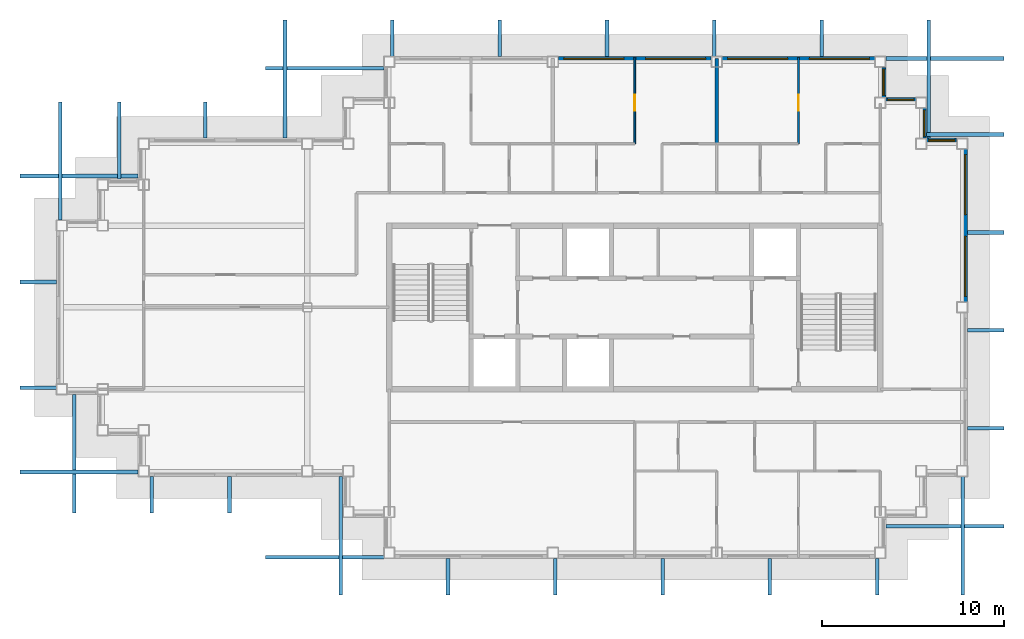
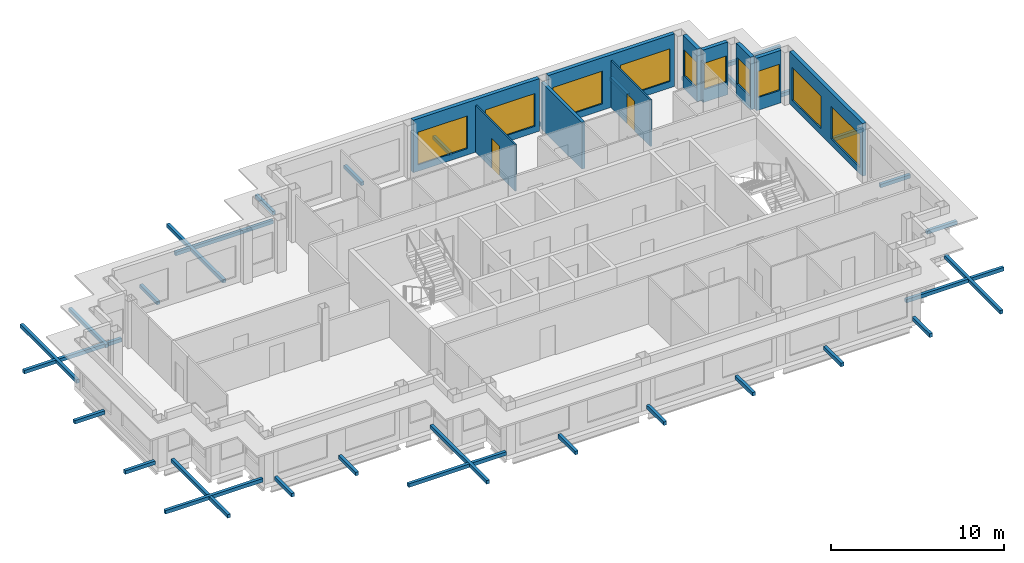
# One storey, part 6 of 11: 32 discrete accessories, 10 walls, 10 windows, 2 doors, 12 openings.
"""IFC4 building model written with IfcOpenShell, lengths in metres."""

from ifc_helpers import new_model, si_unit, direction, frame, frame_2d, origin, origin_2d, place, context, subcontext, project, spatial, rectangle, extrude, material, layer, layer_set, type_object, element, fill, save


model = new_model("IFC4")

# Units and contexts
model_context = context("Model", 3, precision=1e-05, world=origin(), true_north=direction((0.0, 1.0)))
body_context = subcontext(model_context, "Body", "Model", "MODEL_VIEW")
ifc_project = project(units=[si_unit("LENGTHUNIT", "METRE"), si_unit("AREAUNIT", "SQUARE_METRE"), si_unit("VOLUMEUNIT", "CUBIC_METRE"), si_unit("PLANEANGLEUNIT", "RADIAN"), si_unit("MASSUNIT", "GRAM", prefix="KILO")], contexts=[model_context])

# Site, building, storey
site_placement = place(None, origin())
site = spatial("IfcSite", under=ifc_project, at=site_placement, CompositionType="ELEMENT")
building_placement = place(site_placement, origin())
building = spatial("IfcBuilding", under=site, at=building_placement, Name="Caravel Reach Hotel and Residences", CompositionType="ELEMENT")
storey_placement = place(building_placement, frame((0.0, 0.0, 274.89990234375)))
storey = spatial("IfcBuildingStorey", under=building, at=storey_placement, Name="L70", CompositionType="ELEMENT", Elevation=274.89990234375)

# Wall, openings, windows
ifc_material_1 = material(Name="Insulated rainscreen wall, aluminium cladding", Category="aluminium")
ifc_layer_1 = layer(ifc_material_1, 0.25)
ifc_layer_set_1 = layer_set([ifc_layer_1], Name="EW1 Tower rainscreen wall")
wall_type_1 = type_object("IfcWallType", Name="EW1 Tower rainscreen wall", PredefinedType="SOLIDWALL", material=ifc_layer_set_1)
wall_1_placement = place(storey_placement, frame((49.675048828125, 27.300048828125, 0.0), z_axis=(0.0, 0.0, 1.0), x_axis=(0.0, 1.0, 0.0)))
wall_1 = element("IfcWall", 1, at=wall_1_placement, inside=storey, type_object=wall_type_1, Name="External wall L70 E9.2", PredefinedType="SOLIDWALL", context=body_context, shape_type="SweptSolid", body=[
    extrude(rectangle(XDim=8.39990234375, YDim=0.25, at=frame_2d((4.199951171875, 0.0))), origin(), (0.0, 0.0, 1.0), 3.7001953125),
])
opening_1_placement = place(wall_1_placement, frame((0.300048828125, 0.0, 0.449951171875)))
opening_1 = element("IfcOpeningElement", 2, at=opening_1_placement, cuts=wall_1, Name="Opening WN15", PredefinedType="OPENING", context=body_context, shape_type="SweptSolid", body=[
    extrude(rectangle(XDim=3.300048828125, YDim=2.300048828125, at=frame_2d((1.64990234375, 1.14990234375))), frame((0.0, 0.135009765625, 0.0), z_axis=(0.0, -1.0, 0.0), x_axis=(1.0, 0.0, 0.0)), (0.0, 0.0, 1.0), 0.27001953125),
])
opening_2_placement = place(wall_1_placement, frame((4.800048828125, 0.0, 0.449951171875)))
opening_2 = element("IfcOpeningElement", 3, at=opening_2_placement, cuts=wall_1, Name="Opening WN15", PredefinedType="OPENING", context=body_context, shape_type="SweptSolid", body=[
    extrude(rectangle(XDim=3.300048828125, YDim=2.300048828125, at=frame_2d((1.64990234375, 1.14990234375))), frame((0.0, 0.135009765625, 0.0), z_axis=(0.0, -1.0, 0.0), x_axis=(1.0, 0.0, 0.0)), (0.0, 0.0, 1.0), 0.27001953125),
])
ifc_material_2 = material(Name="Dark low-e glazing in black aluminium frame", Category="aluminium")
window_type_1 = type_object("IfcWindowType", Name="Residence living window 3300 x 2300", PartitioningType="SINGLE_PANEL", PredefinedType="WINDOW", material=ifc_material_2)
window_1_placement = place(opening_1_placement, origin())
window_1 = element("IfcWindow", 4, at=window_1_placement, inside=storey, type_object=window_type_1, Name="Window L70 E9.2.1", OverallHeight=2.300048828125, OverallWidth=3.300048828125, PartitioningType="SINGLE_PANEL", PredefinedType="WINDOW", context=body_context, shape_type="SweptSolid", body=[
    extrude(rectangle(XDim=3.300048828125, YDim=2.300048828125, at=frame_2d((1.64990234375, 1.14990234375))), frame((0.0, 0.030029296875, 0.0), z_axis=(0.0, -1.0, 0.0), x_axis=(1.0, 0.0, 0.0)), (0.0, 0.0, 1.0), 0.06005859375),
])
fill(opening_1, window_1)
window_2_placement = place(opening_2_placement, origin())
window_2 = element("IfcWindow", 5, at=window_2_placement, inside=storey, type_object=window_type_1, Name="Window L70 E9.2.2", OverallHeight=2.300048828125, OverallWidth=3.300048828125, PartitioningType="SINGLE_PANEL", PredefinedType="WINDOW", context=body_context, shape_type="SweptSolid", body=[
    extrude(rectangle(XDim=3.300048828125, YDim=2.300048828125, at=frame_2d((1.64990234375, 1.14990234375))), frame((0.0, 0.030029296875, 0.0), z_axis=(0.0, -1.0, 0.0), x_axis=(1.0, 0.0, 0.0)), (0.0, 0.0, 1.0), 0.06005859375),
])
fill(opening_2, window_2)

# Wall, opening, window
wall_2_placement = place(storey_placement, frame((49.199951171875, 36.175048828125, 0.0), z_axis=(0.0, 0.0, 1.0), x_axis=(-1.0, 0.0, 0.0)))
wall_2 = element("IfcWall", 6, at=wall_2_placement, inside=storey, type_object=wall_type_1, Name="External wall L70 N10.1", PredefinedType="SOLIDWALL", context=body_context, shape_type="SweptSolid", body=[
    extrude(rectangle(XDim=1.64990234375, YDim=0.25, at=frame_2d((0.824951171875, 0.0))), origin(), (0.0, 0.0, 1.0), 3.7001953125),
])
opening_3_placement = place(wall_2_placement, frame((0.10009765625, 0.0, 0.89990234375)))
opening_3 = element("IfcOpeningElement", 7, at=opening_3_placement, cuts=wall_2, Name="Opening WN25", PredefinedType="OPENING", context=body_context, shape_type="SweptSolid", body=[
    extrude(rectangle(XDim=1.449951171875, YDim=1.85009765625, at=frame_2d((0.72509765625, 0.925048828125))), frame((0.0, 0.135009765625, 0.0), z_axis=(0.0, -1.0, 0.0), x_axis=(1.0, 0.0, 0.0)), (0.0, 0.0, 1.0), 0.27001953125),
])
ifc_material_3 = material(Name="Dark low-e glazing in black aluminium frame", Category="aluminium")
window_type_2 = type_object("IfcWindowType", Name="Residence bedroom window 1450 x 1850", PartitioningType="SINGLE_PANEL", PredefinedType="WINDOW", material=ifc_material_3)
window_3_placement = place(opening_3_placement, origin())
window_3 = element("IfcWindow", 8, at=window_3_placement, inside=storey, type_object=window_type_2, Name="Window L70 N10.1.1", OverallHeight=1.85009765625, OverallWidth=1.449951171875, PartitioningType="SINGLE_PANEL", PredefinedType="WINDOW", context=body_context, shape_type="SweptSolid", body=[
    extrude(rectangle(XDim=1.449951171875, YDim=1.85009765625, at=frame_2d((0.72509765625, 0.925048828125))), frame((0.0, 0.030029296875, 0.0), z_axis=(0.0, -1.0, 0.0), x_axis=(1.0, 0.0, 0.0)), (0.0, 0.0, 1.0), 0.06005859375),
])
fill(opening_3, window_3)

wall_3_placement = place(storey_placement, frame((47.425048828125, 36.300048828125, 0.0), z_axis=(0.0, 0.0, 1.0), x_axis=(0.0, 1.0, 0.0)))
wall_3 = element("IfcWall", 9, at=wall_3_placement, inside=storey, type_object=wall_type_1, Name="External wall L70 E11.1", PredefinedType="SOLIDWALL", context=body_context, shape_type="SweptSolid", body=[
    extrude(rectangle(XDim=1.64990234375, YDim=0.25, at=frame_2d((0.824951171875, 0.0))), origin(), (0.0, 0.0, 1.0), 3.7001953125),
])
opening_4_placement = place(wall_3_placement, frame((0.10009765625, 0.0, 0.89990234375)))
opening_4 = element("IfcOpeningElement", 10, at=opening_4_placement, cuts=wall_3, Name="Opening WN25", PredefinedType="OPENING", context=body_context, shape_type="SweptSolid", body=[
    extrude(rectangle(XDim=1.449951171875, YDim=1.85009765625, at=frame_2d((0.72509765625, 0.925048828125))), frame((0.0, 0.135009765625, 0.0), z_axis=(0.0, -1.0, 0.0), x_axis=(1.0, 0.0, 0.0)), (0.0, 0.0, 1.0), 0.27001953125),
])
window_4_placement = place(opening_4_placement, origin())
window_4 = element("IfcWindow", 11, at=window_4_placement, inside=storey, type_object=window_type_2, Name="Window L70 E11.1.1", OverallHeight=1.85009765625, OverallWidth=1.449951171875, PartitioningType="SINGLE_PANEL", PredefinedType="WINDOW", context=body_context, shape_type="SweptSolid", body=[
    extrude(rectangle(XDim=1.449951171875, YDim=1.85009765625, at=frame_2d((0.72509765625, 0.925048828125))), frame((0.0, 0.030029296875, 0.0), z_axis=(0.0, -1.0, 0.0), x_axis=(1.0, 0.0, 0.0)), (0.0, 0.0, 1.0), 0.06005859375),
])
fill(opening_4, window_4)

wall_4_placement = place(storey_placement, frame((46.949951171875, 38.425048828125, 0.0), z_axis=(0.0, 0.0, 1.0), x_axis=(-1.0, 0.0, 0.0)))
wall_4 = element("IfcWall", 12, at=wall_4_placement, inside=storey, type_object=wall_type_1, Name="External wall L70 N12.1", PredefinedType="SOLIDWALL", context=body_context, shape_type="SweptSolid", body=[
    extrude(rectangle(XDim=1.64990234375, YDim=0.25, at=frame_2d((0.824951171875, 0.0))), origin(), (0.0, 0.0, 1.0), 3.7001953125),
])
opening_5_placement = place(wall_4_placement, frame((0.10009765625, 0.0, 0.89990234375)))
opening_5 = element("IfcOpeningElement", 13, at=opening_5_placement, cuts=wall_4, Name="Opening WN25", PredefinedType="OPENING", context=body_context, shape_type="SweptSolid", body=[
    extrude(rectangle(XDim=1.449951171875, YDim=1.85009765625, at=frame_2d((0.72509765625, 0.925048828125))), frame((0.0, 0.135009765625, 0.0), z_axis=(0.0, -1.0, 0.0), x_axis=(1.0, 0.0, 0.0)), (0.0, 0.0, 1.0), 0.27001953125),
])
window_5_placement = place(opening_5_placement, origin())
window_5 = element("IfcWindow", 14, at=window_5_placement, inside=storey, type_object=window_type_2, Name="Window L70 N12.1.1", OverallHeight=1.85009765625, OverallWidth=1.449951171875, PartitioningType="SINGLE_PANEL", PredefinedType="WINDOW", context=body_context, shape_type="SweptSolid", body=[
    extrude(rectangle(XDim=1.449951171875, YDim=1.85009765625, at=frame_2d((0.72509765625, 0.925048828125))), frame((0.0, 0.030029296875, 0.0), z_axis=(0.0, -1.0, 0.0), x_axis=(1.0, 0.0, 0.0)), (0.0, 0.0, 1.0), 0.06005859375),
])
fill(opening_5, window_5)

wall_5_placement = place(storey_placement, frame((45.175048828125, 38.550048828125, 0.0), z_axis=(0.0, 0.0, 1.0), x_axis=(0.0, 1.0, 0.0)))
wall_5 = element("IfcWall", 15, at=wall_5_placement, inside=storey, type_object=wall_type_1, Name="External wall L70 E13.1", PredefinedType="SOLIDWALL", context=body_context, shape_type="SweptSolid", body=[
    extrude(rectangle(XDim=1.64990234375, YDim=0.25, at=frame_2d((0.824951171875, 0.0))), origin(), (0.0, 0.0, 1.0), 3.7001953125),
])
opening_6_placement = place(wall_5_placement, frame((0.10009765625, 0.0, 0.89990234375)))
opening_6 = element("IfcOpeningElement", 16, at=opening_6_placement, cuts=wall_5, Name="Opening WN25", PredefinedType="OPENING", context=body_context, shape_type="SweptSolid", body=[
    extrude(rectangle(XDim=1.449951171875, YDim=1.85009765625, at=frame_2d((0.72509765625, 0.925048828125))), frame((0.0, 0.135009765625, 0.0), z_axis=(0.0, -1.0, 0.0), x_axis=(1.0, 0.0, 0.0)), (0.0, 0.0, 1.0), 0.27001953125),
])
window_6_placement = place(opening_6_placement, origin())
window_6 = element("IfcWindow", 17, at=window_6_placement, inside=storey, type_object=window_type_2, Name="Window L70 E13.1.1", OverallHeight=1.85009765625, OverallWidth=1.449951171875, PartitioningType="SINGLE_PANEL", PredefinedType="WINDOW", context=body_context, shape_type="SweptSolid", body=[
    extrude(rectangle(XDim=1.449951171875, YDim=1.85009765625, at=frame_2d((0.72509765625, 0.925048828125))), frame((0.0, 0.030029296875, 0.0), z_axis=(0.0, -1.0, 0.0), x_axis=(1.0, 0.0, 0.0)), (0.0, 0.0, 1.0), 0.06005859375),
])
fill(opening_6, window_6)

# Wall, openings, windows
wall_6_placement = place(storey_placement, frame((44.699951171875, 40.675048828125, 0.0), z_axis=(0.0, 0.0, 1.0), x_axis=(-1.0, 0.0, 0.0)))
wall_6 = element("IfcWall", 18, at=wall_6_placement, inside=storey, type_object=wall_type_1, Name="External wall L70 N14.1", PredefinedType="SOLIDWALL", context=body_context, shape_type="SweptSolid", body=[
    extrude(rectangle(XDim=8.39990234375, YDim=0.25, at=frame_2d((4.199951171875, 0.0))), origin(), (0.0, 0.0, 1.0), 3.7001953125),
])
opening_7_placement = place(wall_6_placement, frame((0.300048828125, 0.0, 0.449951171875)))
opening_7 = element("IfcOpeningElement", 19, at=opening_7_placement, cuts=wall_6, Name="Opening WN15", PredefinedType="OPENING", context=body_context, shape_type="SweptSolid", body=[
    extrude(rectangle(XDim=3.300048828125, YDim=2.300048828125, at=frame_2d((1.64990234375, 1.14990234375))), frame((0.0, 0.135009765625, 0.0), z_axis=(0.0, -1.0, 0.0), x_axis=(1.0, 0.0, 0.0)), (0.0, 0.0, 1.0), 0.27001953125),
])
opening_8_placement = place(wall_6_placement, frame((4.800048828125, 0.0, 0.449951171875)))
opening_8 = element("IfcOpeningElement", 20, at=opening_8_placement, cuts=wall_6, Name="Opening WN15", PredefinedType="OPENING", context=body_context, shape_type="SweptSolid", body=[
    extrude(rectangle(XDim=3.300048828125, YDim=2.300048828125, at=frame_2d((1.64990234375, 1.14990234375))), frame((0.0, 0.135009765625, 0.0), z_axis=(0.0, -1.0, 0.0), x_axis=(1.0, 0.0, 0.0)), (0.0, 0.0, 1.0), 0.27001953125),
])
window_7_placement = place(opening_7_placement, origin())
window_7 = element("IfcWindow", 21, at=window_7_placement, inside=storey, type_object=window_type_1, Name="Window L70 N14.1.1", OverallHeight=2.300048828125, OverallWidth=3.300048828125, PartitioningType="SINGLE_PANEL", PredefinedType="WINDOW", context=body_context, shape_type="SweptSolid", body=[
    extrude(rectangle(XDim=3.300048828125, YDim=2.300048828125, at=frame_2d((1.64990234375, 1.14990234375))), frame((0.0, 0.030029296875, 0.0), z_axis=(0.0, -1.0, 0.0), x_axis=(1.0, 0.0, 0.0)), (0.0, 0.0, 1.0), 0.06005859375),
])
fill(opening_7, window_7)
window_8_placement = place(opening_8_placement, origin())
window_8 = element("IfcWindow", 22, at=window_8_placement, inside=storey, type_object=window_type_1, Name="Window L70 N14.1.2", OverallHeight=2.300048828125, OverallWidth=3.300048828125, PartitioningType="SINGLE_PANEL", PredefinedType="WINDOW", context=body_context, shape_type="SweptSolid", body=[
    extrude(rectangle(XDim=3.300048828125, YDim=2.300048828125, at=frame_2d((1.64990234375, 1.14990234375))), frame((0.0, 0.030029296875, 0.0), z_axis=(0.0, -1.0, 0.0), x_axis=(1.0, 0.0, 0.0)), (0.0, 0.0, 1.0), 0.06005859375),
])
fill(opening_8, window_8)

wall_7_placement = place(storey_placement, frame((35.699951171875, 40.675048828125, 0.0), z_axis=(0.0, 0.0, 1.0), x_axis=(-1.0, 0.0, 0.0)))
wall_7 = element("IfcWall", 23, at=wall_7_placement, inside=storey, type_object=wall_type_1, Name="External wall L70 N14.2", PredefinedType="SOLIDWALL", context=body_context, shape_type="SweptSolid", body=[
    extrude(rectangle(XDim=8.39990234375, YDim=0.25, at=frame_2d((4.199951171875, 0.0))), origin(), (0.0, 0.0, 1.0), 3.7001953125),
])
opening_9_placement = place(wall_7_placement, frame((0.300048828125, 0.0, 0.449951171875)))
opening_9 = element("IfcOpeningElement", 24, at=opening_9_placement, cuts=wall_7, Name="Opening WN15", PredefinedType="OPENING", context=body_context, shape_type="SweptSolid", body=[
    extrude(rectangle(XDim=3.300048828125, YDim=2.300048828125, at=frame_2d((1.64990234375, 1.14990234375))), frame((0.0, 0.135009765625, 0.0), z_axis=(0.0, -1.0, 0.0), x_axis=(1.0, 0.0, 0.0)), (0.0, 0.0, 1.0), 0.27001953125),
])
opening_10_placement = place(wall_7_placement, frame((4.800048828125, 0.0, 0.449951171875)))
opening_10 = element("IfcOpeningElement", 25, at=opening_10_placement, cuts=wall_7, Name="Opening WN15", PredefinedType="OPENING", context=body_context, shape_type="SweptSolid", body=[
    extrude(rectangle(XDim=3.300048828125, YDim=2.300048828125, at=frame_2d((1.64990234375, 1.14990234375))), frame((0.0, 0.135009765625, 0.0), z_axis=(0.0, -1.0, 0.0), x_axis=(1.0, 0.0, 0.0)), (0.0, 0.0, 1.0), 0.27001953125),
])
window_9_placement = place(opening_9_placement, origin())
window_9 = element("IfcWindow", 26, at=window_9_placement, inside=storey, type_object=window_type_1, Name="Window L70 N14.2.1", OverallHeight=2.300048828125, OverallWidth=3.300048828125, PartitioningType="SINGLE_PANEL", PredefinedType="WINDOW", context=body_context, shape_type="SweptSolid", body=[
    extrude(rectangle(XDim=3.300048828125, YDim=2.300048828125, at=frame_2d((1.64990234375, 1.14990234375))), frame((0.0, 0.030029296875, 0.0), z_axis=(0.0, -1.0, 0.0), x_axis=(1.0, 0.0, 0.0)), (0.0, 0.0, 1.0), 0.06005859375),
])
fill(opening_9, window_9)
window_10_placement = place(opening_10_placement, origin())
window_10 = element("IfcWindow", 27, at=window_10_placement, inside=storey, type_object=window_type_1, Name="Window L70 N14.2.2", OverallHeight=2.300048828125, OverallWidth=3.300048828125, PartitioningType="SINGLE_PANEL", PredefinedType="WINDOW", context=body_context, shape_type="SweptSolid", body=[
    extrude(rectangle(XDim=3.300048828125, YDim=2.300048828125, at=frame_2d((1.64990234375, 1.14990234375))), frame((0.0, 0.030029296875, 0.0), z_axis=(0.0, -1.0, 0.0), x_axis=(1.0, 0.0, 0.0)), (0.0, 0.0, 1.0), 0.06005859375),
])
fill(opening_10, window_10)

# Wall, opening, door
ifc_material_4 = material(Name="Gypsum board on steel stud", Category="steel")
ifc_layer_2 = layer(ifc_material_4, 0.10009765625)
ifc_layer_set_2 = layer_set([ifc_layer_2], Name="Partition 100 mm")
wall_type_2 = type_object("IfcWallType", Name="Partition 100 mm", PredefinedType="PARTITIONING", material=ifc_layer_set_2)
wall_8_placement = place(storey_placement, frame((31.5, 36.0, 0.0), z_axis=(0.0, 0.0, 1.0), x_axis=(0.0, 1.0, 0.0)))
wall_8 = element("IfcWall", 28, at=wall_8_placement, inside=storey, type_object=wall_type_2, Name="L70 wall w038", PredefinedType="PARTITIONING", context=body_context, shape_type="SweptSolid", body=[
    extrude(rectangle(XDim=4.739990234375, YDim=0.10009765625, at=frame_2d((2.3701171875, 0.0))), origin(), (0.0, 0.0, 1.0), 3.300048828125),
])
opening_11_placement = place(wall_8_placement, frame((1.800048828125, 0.0, 0.0)))
opening_11 = element("IfcOpeningElement", 29, at=opening_11_placement, cuts=wall_8, Name="Opening D70-023", PredefinedType="OPENING", context=body_context, shape_type="SweptSolid", body=[
    extrude(rectangle(XDim=0.89990234375, YDim=2.10009765625, at=frame_2d((0.449951171875, 1.050048828125))), frame((0.0, 0.06005859375, 0.0), z_axis=(0.0, -1.0, 0.0), x_axis=(1.0, 0.0, 0.0)), (0.0, 0.0, 1.0), 0.1201171875),
])
ifc_material_5 = material(Name="Timber and steel door leaf", Category="steel")
door_type = type_object("IfcDoorType", Name="Door 900 x 2100 timber", OperationType="SINGLE_SWING_LEFT", PredefinedType="DOOR", material=ifc_material_5)
door_1_placement = place(opening_11_placement, origin())
door_1 = element("IfcDoor", 30, at=door_1_placement, inside=storey, type_object=door_type, Name="door D70-023", OperationType="SINGLE_SWING_LEFT", OverallHeight=2.10009765625, OverallWidth=0.89990234375, PredefinedType="DOOR", context=body_context, shape_type="SweptSolid", body=[
    extrude(rectangle(XDim=0.89990234375, YDim=2.10009765625, at=frame_2d((0.449951171875, 1.050048828125))), frame((0.0, 0.02490234375, 0.0), z_axis=(0.0, -1.0, 0.0), x_axis=(1.0, 0.0, 0.0)), (0.0, 0.0, 1.0), 0.050048828125),
])
fill(opening_11, door_1)

wall_9_placement = place(storey_placement, frame((40.5, 36.0, 0.0), z_axis=(0.0, 0.0, 1.0), x_axis=(0.0, 1.0, 0.0)))
wall_9 = element("IfcWall", 31, at=wall_9_placement, inside=storey, type_object=wall_type_2, Name="L70 wall w046", PredefinedType="PARTITIONING", context=body_context, shape_type="SweptSolid", body=[
    extrude(rectangle(XDim=4.739990234375, YDim=0.10009765625, at=frame_2d((2.3701171875, 0.0))), origin(), (0.0, 0.0, 1.0), 3.300048828125),
])
opening_12_placement = place(wall_9_placement, frame((1.800048828125, 0.0, 0.0)))
opening_12 = element("IfcOpeningElement", 32, at=opening_12_placement, cuts=wall_9, Name="Opening D70-027", PredefinedType="OPENING", context=body_context, shape_type="SweptSolid", body=[
    extrude(rectangle(XDim=0.89990234375, YDim=2.10009765625, at=frame_2d((0.449951171875, 1.050048828125))), frame((0.0, 0.06005859375, 0.0), z_axis=(0.0, -1.0, 0.0), x_axis=(1.0, 0.0, 0.0)), (0.0, 0.0, 1.0), 0.1201171875),
])
door_2_placement = place(opening_12_placement, origin())
door_2 = element("IfcDoor", 33, at=door_2_placement, inside=storey, type_object=door_type, Name="door D70-027", OperationType="SINGLE_SWING_LEFT", OverallHeight=2.10009765625, OverallWidth=0.89990234375, PredefinedType="DOOR", context=body_context, shape_type="SweptSolid", body=[
    extrude(rectangle(XDim=0.89990234375, YDim=2.10009765625, at=frame_2d((0.449951171875, 1.050048828125))), frame((0.0, 0.02490234375, 0.0), z_axis=(0.0, -1.0, 0.0), x_axis=(1.0, 0.0, 0.0)), (0.0, 0.0, 1.0), 0.050048828125),
])
fill(opening_12, door_2)

# Wall
ifc_material_6 = material(Name="Autoclaved aerated block wall")
ifc_layer_3 = layer(ifc_material_6, 0.199951171875)
ifc_layer_set_3 = layer_set([ifc_layer_3], Name="Party wall 200 mm EI 60")
wall_type_3 = type_object("IfcWallType", Name="Party wall 200 mm EI 60", PredefinedType="PARTITIONING", material=ifc_layer_set_3)
wall_10_placement = place(storey_placement, frame((36.0, 36.0, 0.0), z_axis=(0.0, 0.0, 1.0), x_axis=(0.0, 1.0, 0.0)))
element("IfcWall", 34, at=wall_10_placement, inside=storey, type_object=wall_type_3, Name="L70 wall w054", PredefinedType="PARTITIONING", context=body_context, shape_type="SweptSolid", body=[
    extrude(rectangle(XDim=4.68994140625, YDim=0.199951171875, at=frame_2d((2.344970703125, 0.0))), origin(), (0.0, 0.0, 1.0), 3.300048828125),
])

# Discrete accessories
ifc_material_7 = material(Name="Black powder-coated aluminium", Category="aluminium")
discrete_accessory_type = type_object("IfcDiscreteAccessoryType", Name="BR1 Screen bracket", PredefinedType="BRACKET", material=ifc_material_7)
discrete_accessory_1_placement = place(storey_placement, frame((0.686767578125, 18.949951171875, 0.10009765625), z_axis=(0.0, 0.0, 1.0), x_axis=(0.0, -1.0, 0.0)))
element("IfcDiscreteAccessory", 35, at=discrete_accessory_1_placement, inside=storey, type_object=discrete_accessory_type, Name="Screen bracket L70 1.1.2", PredefinedType="BRACKET", context=body_context, shape_type="SweptSolid", body=[
    extrude(rectangle(XDim=6.5, YDim=0.199951171875, at=origin_2d()), origin(), (0.0, 0.0, 1.0), 0.25),
])
for number, where, z_axis, x_axis, name in (
    (36, (4.953369140625, 16.699951171875, 0.10009765625), (0.0, 0.0, 1.0), (0.0, -1.0, 0.0), "Screen bracket L70 1.2.2"),
    (37, (9.219970703125, 16.699951171875, 0.10009765625), (0.0, 0.0, 1.0), (0.0, -1.0, 0.0), "Screen bracket L70 1.3.2"),
):
    element("IfcDiscreteAccessory", number, at=place(storey_placement, frame(where, z_axis=z_axis, x_axis=x_axis)), inside=storey, type_object=discrete_accessory_type, Name=name, PredefinedType="BRACKET", context=body_context, shape_type="SweptSolid", body=[
        extrude(rectangle(XDim=2.0, YDim=0.199951171875, at=origin_2d()), origin(), (0.0, 0.0, 1.0), 0.25),
    ])
for number, where, z_axis, x_axis, name in (
    (38, (14.449951171875, 13.260009765625, 0.10009765625), (0.0, 0.0, 1.0), (-1.0, 0.0, 0.0), "Screen bracket L70 2.1.2"),
    (39, (15.330078125, 14.449951171875, 0.10009765625), (0.0, 0.0, 1.0), (0.0, -1.0, 0.0), "Screen bracket L70 3.1.2"),
):
    element("IfcDiscreteAccessory", number, at=place(storey_placement, frame(where, z_axis=z_axis, x_axis=x_axis)), inside=storey, type_object=discrete_accessory_type, Name=name, PredefinedType="BRACKET", context=body_context, shape_type="SweptSolid", body=[
        extrude(rectangle(XDim=6.5, YDim=0.199951171875, at=origin_2d()), origin(), (0.0, 0.0, 1.0), 0.25),
    ])
for number, where, z_axis, x_axis, name in (
    (40, (21.22998046875, 12.199951171875, 0.10009765625), (0.0, 0.0, 1.0), (0.0, -1.0, 0.0), "Screen bracket L70 3.2.2"),
    (41, (27.1298828125, 12.199951171875, 0.10009765625), (0.0, 0.0, 1.0), (0.0, -1.0, 0.0), "Screen bracket L70 3.3.2"),
    (42, (33.030029296875, 12.199951171875, 0.10009765625), (0.0, 0.0, 1.0), (0.0, -1.0, 0.0), "Screen bracket L70 3.4.2"),
    (43, (38.929931640625, 12.199951171875, 0.10009765625), (0.0, 0.0, 1.0), (0.0, -1.0, 0.0), "Screen bracket L70 3.5.2"),
    (44, (44.830078125, 12.199951171875, 0.10009765625), (0.0, 0.0, 1.0), (0.0, -1.0, 0.0), "Screen bracket L70 3.6.2"),
):
    element("IfcDiscreteAccessory", number, at=place(storey_placement, frame(where, z_axis=z_axis, x_axis=x_axis)), inside=storey, type_object=discrete_accessory_type, Name=name, PredefinedType="BRACKET", context=body_context, shape_type="SweptSolid", body=[
        extrude(rectangle(XDim=2.0, YDim=0.199951171875, at=origin_2d()), origin(), (0.0, 0.0, 1.0), 0.25),
    ])
for number, where, z_axis, x_axis, name in (
    (45, (49.530029296875, 14.449951171875, 0.10009765625), (0.0, 0.0, 1.0), (0.0, -1.0, 0.0), "Screen bracket L70 3.7.2"),
    (46, (48.550048828125, 14.96826171875, 0.10009765625), (0.0, 0.0, 1.0), (1.0, 0.0, 0.0), "Screen bracket L70 4.1.2"),
):
    element("IfcDiscreteAccessory", number, at=place(storey_placement, frame(where, z_axis=z_axis, x_axis=x_axis)), inside=storey, type_object=discrete_accessory_type, Name=name, PredefinedType="BRACKET", context=body_context, shape_type="SweptSolid", body=[
        extrude(rectangle(XDim=6.5, YDim=0.199951171875, at=origin_2d()), origin(), (0.0, 0.0, 1.0), 0.25),
    ])
for number, where, z_axis, x_axis, name in (
    (47, (50.800048828125, 20.3515625, 0.10009765625), (0.0, 0.0, 1.0), (1.0, 0.0, 0.0), "Screen bracket L70 4.2.2"),
    (48, (50.800048828125, 25.735107421875, 0.10009765625), (0.0, 0.0, 1.0), (1.0, 0.0, 0.0), "Screen bracket L70 4.3.2"),
    (49, (50.800048828125, 31.118408203125, 0.10009765625), (0.0, 0.0, 1.0), (1.0, 0.0, 0.0), "Screen bracket L70 4.4.2"),
):
    element("IfcDiscreteAccessory", number, at=place(storey_placement, frame(where, z_axis=z_axis, x_axis=x_axis)), inside=storey, type_object=discrete_accessory_type, Name=name, PredefinedType="BRACKET", context=body_context, shape_type="SweptSolid", body=[
        extrude(rectangle(XDim=2.0, YDim=0.199951171875, at=origin_2d()), origin(), (0.0, 0.0, 1.0), 0.25),
    ])
discrete_accessory_2_placement = place(storey_placement, frame((49.675048828125, 36.501708984375, 0.10009765625), z_axis=(0.0, 0.0, 1.0), x_axis=(1.0, 0.0, 0.0)))
element("IfcDiscreteAccessory", 50, at=discrete_accessory_2_placement, inside=storey, type_object=discrete_accessory_type, Name="Screen bracket L70 4.5.2", PredefinedType="BRACKET", context=body_context, shape_type="SweptSolid", body=[
    extrude(rectangle(XDim=4.25, YDim=0.199951171875, at=origin_2d()), origin(), (0.0, 0.0, 1.0), 0.25),
])
for number, where, z_axis, x_axis, name in (
    (51, (48.550048828125, 40.68505859375, 0.10009765625), (0.0, 0.0, 1.0), (1.0, 0.0, 0.0), "Screen bracket L70 4.6.2"),
    (52, (47.669921875, 39.550048828125, 0.10009765625), (0.0, 0.0, 1.0), (0.0, 1.0, 0.0), "Screen bracket L70 5.1.2"),
):
    element("IfcDiscreteAccessory", number, at=place(storey_placement, frame(where, z_axis=z_axis, x_axis=x_axis)), inside=storey, type_object=discrete_accessory_type, Name=name, PredefinedType="BRACKET", context=body_context, shape_type="SweptSolid", body=[
        extrude(rectangle(XDim=6.5, YDim=0.199951171875, at=origin_2d()), origin(), (0.0, 0.0, 1.0), 0.25),
    ])
for number, where, z_axis, x_axis, name in (
    (53, (41.77001953125, 41.800048828125, 0.10009765625), (0.0, 0.0, 1.0), (0.0, 1.0, 0.0), "Screen bracket L70 5.2.2"),
    (54, (35.8701171875, 41.800048828125, 0.10009765625), (0.0, 0.0, 1.0), (0.0, 1.0, 0.0), "Screen bracket L70 5.3.2"),
    (55, (29.969970703125, 41.800048828125, 0.10009765625), (0.0, 0.0, 1.0), (0.0, 1.0, 0.0), "Screen bracket L70 5.4.2"),
    (56, (24.070068359375, 41.800048828125, 0.10009765625), (0.0, 0.0, 1.0), (0.0, 1.0, 0.0), "Screen bracket L70 5.5.2"),
    (57, (18.169921875, 41.800048828125, 0.10009765625), (0.0, 0.0, 1.0), (0.0, 1.0, 0.0), "Screen bracket L70 5.6.2"),
):
    element("IfcDiscreteAccessory", number, at=place(storey_placement, frame(where, z_axis=z_axis, x_axis=x_axis)), inside=storey, type_object=discrete_accessory_type, Name=name, PredefinedType="BRACKET", context=body_context, shape_type="SweptSolid", body=[
        extrude(rectangle(XDim=2.0, YDim=0.199951171875, at=origin_2d()), origin(), (0.0, 0.0, 1.0), 0.25),
    ])
for number, where, z_axis, x_axis, name in (
    (58, (12.27001953125, 39.550048828125, 0.10009765625), (0.0, 0.0, 1.0), (0.0, 1.0, 0.0), "Screen bracket L70 5.7.2"),
    (59, (14.449951171875, 40.139892578125, 0.10009765625), (0.0, 0.0, 1.0), (-1.0, 0.0, 0.0), "Screen bracket L70 6.1.2"),
):
    element("IfcDiscreteAccessory", number, at=place(storey_placement, frame(where, z_axis=z_axis, x_axis=x_axis)), inside=storey, type_object=discrete_accessory_type, Name=name, PredefinedType="BRACKET", context=body_context, shape_type="SweptSolid", body=[
        extrude(rectangle(XDim=6.5, YDim=0.199951171875, at=origin_2d()), origin(), (0.0, 0.0, 1.0), 0.25),
    ])
discrete_accessory_3_placement = place(storey_placement, frame((7.88671875, 37.300048828125, 0.10009765625), z_axis=(0.0, 0.0, 1.0), x_axis=(0.0, 1.0, 0.0)))
element("IfcDiscreteAccessory", 60, at=discrete_accessory_3_placement, inside=storey, type_object=discrete_accessory_type, Name="Screen bracket L70 7.1.2", PredefinedType="BRACKET", context=body_context, shape_type="SweptSolid", body=[
    extrude(rectangle(XDim=2.0, YDim=0.199951171875, at=origin_2d()), origin(), (0.0, 0.0, 1.0), 0.25),
])
discrete_accessory_4_placement = place(storey_placement, frame((3.1533203125, 36.175048828125, 0.10009765625), z_axis=(0.0, 0.0, 1.0), x_axis=(0.0, 1.0, 0.0)))
element("IfcDiscreteAccessory", 61, at=discrete_accessory_4_placement, inside=storey, type_object=discrete_accessory_type, Name="Screen bracket L70 7.2.2", PredefinedType="BRACKET", context=body_context, shape_type="SweptSolid", body=[
    extrude(rectangle(XDim=4.25, YDim=0.199951171875, at=origin_2d()), origin(), (0.0, 0.0, 1.0), 0.25),
])
for number, where, z_axis, x_axis, name in (
    (62, (-0.080078125, 35.050048828125, 0.10009765625), (0.0, 0.0, 1.0), (0.0, 1.0, 0.0), "Screen bracket L70 7.3.2"),
    (63, (0.949951171875, 34.222412109375, 0.10009765625), (0.0, 0.0, 1.0), (-1.0, 0.0, 0.0), "Screen bracket L70 8.1.2"),
):
    element("IfcDiscreteAccessory", number, at=place(storey_placement, frame(where, z_axis=z_axis, x_axis=x_axis)), inside=storey, type_object=discrete_accessory_type, Name=name, PredefinedType="BRACKET", context=body_context, shape_type="SweptSolid", body=[
        extrude(rectangle(XDim=6.5, YDim=0.199951171875, at=origin_2d()), origin(), (0.0, 0.0, 1.0), 0.25),
    ])
for number, where, z_axis, x_axis, name in (
    (64, (-1.300048828125, 28.3974609375, 0.10009765625), (0.0, 0.0, 1.0), (-1.0, 0.0, 0.0), "Screen bracket L70 8.2.2"),
    (65, (-1.300048828125, 22.572509765625, 0.10009765625), (0.0, 0.0, 1.0), (-1.0, 0.0, 0.0), "Screen bracket L70 8.3.2"),
):
    element("IfcDiscreteAccessory", number, at=place(storey_placement, frame(where, z_axis=z_axis, x_axis=x_axis)), inside=storey, type_object=discrete_accessory_type, Name=name, PredefinedType="BRACKET", context=body_context, shape_type="SweptSolid", body=[
        extrude(rectangle(XDim=2.0, YDim=0.199951171875, at=origin_2d()), origin(), (0.0, 0.0, 1.0), 0.25),
    ])
discrete_accessory_5_placement = place(storey_placement, frame((0.949951171875, 17.947509765625, 0.10009765625), z_axis=(0.0, 0.0, 1.0), x_axis=(-1.0, 0.0, 0.0)))
element("IfcDiscreteAccessory", 66, at=discrete_accessory_5_placement, inside=storey, type_object=discrete_accessory_type, Name="Screen bracket L70 8.4.2", PredefinedType="BRACKET", context=body_context, shape_type="SweptSolid", body=[
    extrude(rectangle(XDim=6.5, YDim=0.199951171875, at=origin_2d()), origin(), (0.0, 0.0, 1.0), 0.25),
])

save(model, "model.ifc")
